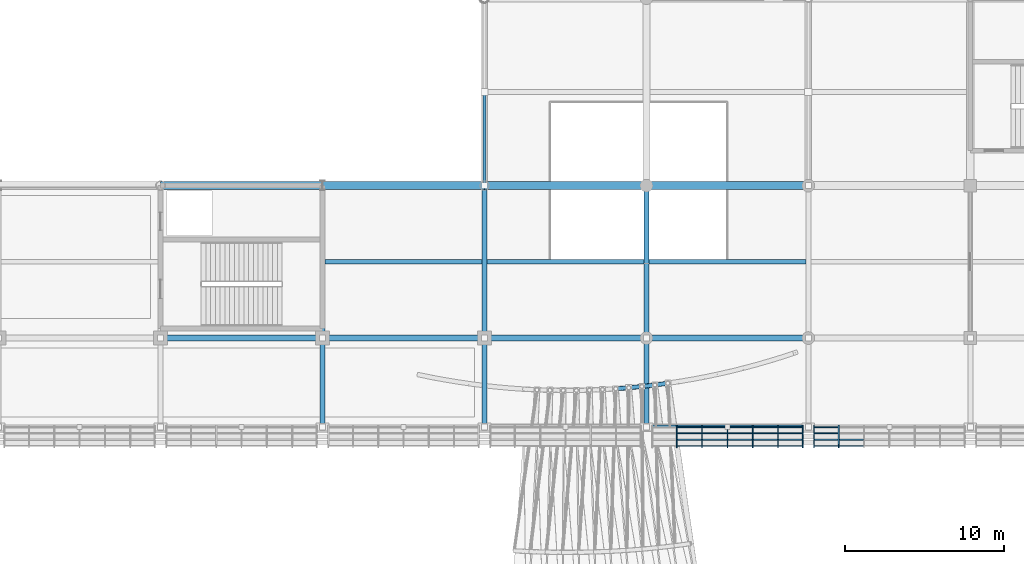
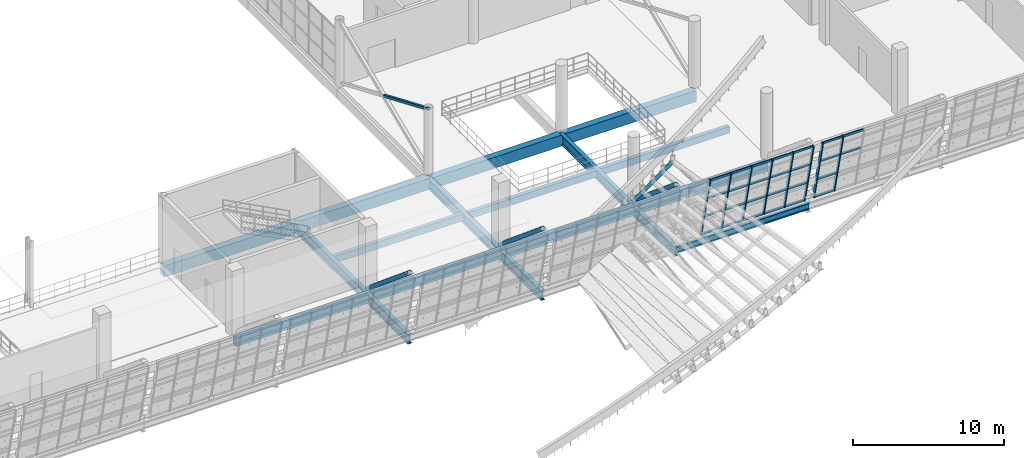
# One storey, part 46 of 175: 42 members, 15 beams, 2 elements without a shape of their own.
"""IFC4 building model written with IfcOpenShell, lengths in metres."""

import ifcopenshell
import ifcopenshell.guid

model = None  # the IFC model being written
_history = None  # IfcOwnerHistory: only IFC2X3 demands one
_inside = {}  # id of a spatial element -> (the spatial element, [elements in it])
_under = {}  # id of a project, library or spatial element -> (it, [spatial elements below it])
_declared = {}  # id of a project -> (the project, [libraries it declares])
_typed = {}  # id of a type object -> (the type object, [elements of that type])
_made_of = {}  # id of a material, layer set ... -> (it, [elements and type objects made of it])


def new_model(schema):
    """Start an empty IFC model of exactly this schema.

    Asked for "IFC4X3", IfcOpenShell would pick the latest addendum, in which some entities
    have other attributes; the version numbers below select the first issue.
    IFC2X3 requires an IfcOwnerHistory on every rooted entity: one is made here for all.
    """
    global model, _history
    if schema == "IFC4X3":
        model = ifcopenshell.file(schema_version=(4, 3, 0, 0))
    else:
        model = ifcopenshell.file(schema=schema)
    _inside.clear()
    _under.clear()
    _declared.clear()
    _typed.clear()
    _made_of.clear()
    _history = None
    if model.schema == "IFC2X3":
        org = make("IfcOrganization", Name="unknown")
        user = make(
            "IfcPersonAndOrganization",
            ThePerson=make("IfcPerson", FamilyName="unknown"),
            TheOrganization=org,
        )
        app = make(
            "IfcApplication",
            ApplicationDeveloper=org,
            Version="unknown",
            ApplicationFullName="unknown",
            ApplicationIdentifier="unknown",
        )
        _history = make(
            "IfcOwnerHistory",
            OwningUser=user,
            OwningApplication=app,
            ChangeAction="ADDED",
            CreationDate=0,
        )
    return model


def make(cls, **values):
    """One entity of the class cls with the attributes given. An attribute that is None is left unset."""
    return model.create_entity(
        cls, **{name: value for name, value in values.items() if value is not None}
    )


def rooted(cls, **values):
    """An entity with a GlobalId (a new one), such as an element, a storey or a relation."""
    return make(cls, GlobalId=ifcopenshell.guid.new(), OwnerHistory=_history, **values)


def si_unit(unit_type, name, prefix=None):
    """IfcSIUnit, for example si_unit("LENGTHUNIT", "METRE", prefix="MILLI")."""
    return make("IfcSIUnit", UnitType=unit_type, Prefix=prefix, Name=name)


def assignment(units):
    """IfcUnitAssignment: the units of a project."""
    return None if units is None else make("IfcUnitAssignment", Units=units)


def point(xyz):
    """IfcCartesianPoint."""
    return None if xyz is None else make("IfcCartesianPoint", Coordinates=xyz)


def direction(xyz):
    """IfcDirection."""
    return None if xyz is None else make("IfcDirection", DirectionRatios=xyz)


def frame(location, z_axis=None, x_axis=None):
    """IfcAxis2Placement3D, a coordinate frame: its origin and axes. An axis left out is left unset."""
    return make(
        "IfcAxis2Placement3D",
        Location=point(location),
        Axis=direction(z_axis),
        RefDirection=direction(x_axis),
    )


def frame_2d(location, x_axis=None):
    """IfcAxis2Placement2D, a coordinate frame in the plane: its origin and x axis."""
    return make(
        "IfcAxis2Placement2D", Location=point(location), RefDirection=direction(x_axis)
    )


def origin():
    """The frame at (0, 0, 0) with its axes left unset."""
    return frame((0.0, 0.0, 0.0))


def origin_2d():
    """The frame at (0, 0) in the plane with its x axis left unset."""
    return frame_2d((0.0, 0.0))


def place(relative_to, where):
    """IfcLocalPlacement: puts the frame where relative to a parent placement (None: the world)."""
    return make(
        "IfcLocalPlacement", PlacementRelTo=relative_to, RelativePlacement=where
    )


def context(
    kind, dimensions, precision=None, world=None, true_north=None, identifier=None
):
    """IfcGeometricRepresentationContext, for example the 3D "Model" context."""
    return make(
        "IfcGeometricRepresentationContext",
        ContextIdentifier=identifier,
        ContextType=kind,
        CoordinateSpaceDimension=dimensions,
        Precision=precision,
        WorldCoordinateSystem=world,
        TrueNorth=true_north,
    )


def subcontext(parent, identifier, kind, view, scale=None):
    """IfcGeometricRepresentationSubContext, for example "Body" below "Model"."""
    return make(
        "IfcGeometricRepresentationSubContext",
        ContextIdentifier=identifier,
        ContextType=kind,
        ParentContext=parent,
        TargetScale=scale,
        TargetView=view,
    )


def project(units=None, contexts=None):
    """IfcProject with its units and contexts."""
    return rooted(
        "IfcProject",
        Name="project",
        RepresentationContexts=contexts,
        UnitsInContext=assignment(units),
    )


def spatial(cls, under=None, at=None, **own):
    """A site, building, storey or space (cls), placed at a placement, below another one or the project."""
    s = rooted(cls, ObjectPlacement=at, **own)
    if under is not None:
        _under.setdefault(under.id(), (under, []))[1].append(s)
    return s


def profile(cls, at=None, kind="AREA", **sizes):
    """A parametric profile (cls). Its sizes go by their IFC names, for example OverallWidth=200.0."""
    return make(cls, ProfileType=kind, Position=at, **sizes)


def rectangle(**sizes):
    """IfcRectangleProfileDef."""
    return profile("IfcRectangleProfileDef", **sizes)


def hollow_rectangle(**sizes):
    """IfcRectangleHollowProfileDef."""
    return profile("IfcRectangleHollowProfileDef", **sizes)


def hollow_circle(**sizes):
    """IfcCircleHollowProfileDef."""
    return profile("IfcCircleHollowProfileDef", **sizes)


def i_section(**sizes):
    """IfcIShapeProfileDef."""
    return profile("IfcIShapeProfileDef", **sizes)


def extrude(swept, where, along, depth):
    """IfcExtrudedAreaSolid: the profile swept, set in the frame where, extruded along a direction by depth."""
    return make(
        "IfcExtrudedAreaSolid",
        SweptArea=swept,
        Position=where,
        ExtrudedDirection=direction(along),
        Depth=depth,
    )


def shape(context_of_items, identifier, shape_type, items):
    """IfcShapeRepresentation: the items that make up one representation, for example the "Body"."""
    return make(
        "IfcShapeRepresentation",
        ContextOfItems=context_of_items,
        RepresentationIdentifier=identifier,
        RepresentationType=shape_type,
        Items=items,
    )


def material(Name=None, Category=None):
    """IfcMaterial."""
    return make("IfcMaterial", Name=Name, Category=Category)


def material_profile(
    of_material, cross_section, Name=None, Category=None, Priority=None
):
    """IfcMaterialProfile: a cross section and its material."""
    return make(
        "IfcMaterialProfile",
        Name=Name,
        Material=of_material,
        Profile=cross_section,
        Priority=Priority,
        Category=Category,
    )


def profile_set(profiles, Name=None, composite=None):
    """IfcMaterialProfileSet."""
    return make(
        "IfcMaterialProfileSet",
        Name=Name,
        MaterialProfiles=profiles,
        CompositeProfile=composite,
    )


def made_of(thing, what):
    """Note that an element or type object is made of a material, layer set ...; save() writes the relation."""
    if what is not None:
        _made_of.setdefault(what.id(), (what, []))[1].append(thing)
    return thing


def type_object(cls, material=None, **own):
    """A type object (cls), such as IfcWallType, which elements share."""
    return made_of(rooted(cls, **own), material)


def element(
    cls,
    number,
    at=None,
    inside=None,
    cuts=None,
    type_object=None,
    material=None,
    context=None,
    identifier="Body",
    shape_type=None,
    held_by="IfcProductDefinitionShape",
    body=None,
    shapes=None,
    **own,
):
    """One element of the class cls, such as IfcWall. Its Tag is "e" and its number.

    at: its placement. inside: the storey or other place that contains it. cuts: it is an
    opening in that element (IfcRelVoidsElement). A single representation is given by context,
    identifier, shape_type and body (its items); several are given by shapes. held_by: the class
    of the entity that holds the representations. save() writes the other relations.
    """
    e = rooted(cls, Tag="e%d" % number, ObjectPlacement=at, **own)
    if body is not None:
        shapes = [shape(context, identifier, shape_type, body)]
    if shapes is not None:
        e.Representation = make(held_by, Representations=shapes)
    if inside is not None:
        _inside.setdefault(inside.id(), (inside, []))[1].append(e)
    if cuts is not None:
        rooted(
            "IfcRelVoidsElement", RelatingBuildingElement=cuts, RelatedOpeningElement=e
        )
    if type_object is not None:
        _typed.setdefault(type_object.id(), (type_object, []))[1].append(e)
    return made_of(e, material)


def aggregate(whole, parts):
    """IfcRelAggregates: a whole, such as a stair, and the parts it consists of."""
    return rooted("IfcRelAggregates", RelatingObject=whole, RelatedObjects=parts)


def save(model, path):
    """Write the relations noted so far, then the file.

    IfcRelAggregates (storeys below a building ...), IfcRelContainedInSpatialStructure (elements
    in a storey), IfcRelDefinesByType, IfcRelAssociatesMaterial and IfcRelDeclares: one each for
    every whole, place, type object, material and project.
    """
    for whole, parts in _under.values():
        aggregate(whole, parts)
    for where, things in _inside.values():
        rooted(
            "IfcRelContainedInSpatialStructure",
            RelatedElements=things,
            RelatingStructure=where,
        )
    for kind, things in _typed.values():
        rooted("IfcRelDefinesByType", RelatedObjects=things, RelatingType=kind)
    for what, things in _made_of.values():
        rooted("IfcRelAssociatesMaterial", RelatedObjects=things, RelatingMaterial=what)
    for by, libraries in _declared.values():
        rooted("IfcRelDeclares", RelatingContext=by, RelatedDefinitions=libraries)
    model.write(path)


model = new_model("IFC4")

# Units and contexts
model_context = context("Model", 3, precision=1e-05, world=origin(), true_north=direction((0.0, 1.0)))
body_context = subcontext(model_context, "Body", "Model", "MODEL_VIEW")
ifc_project = project(units=[si_unit("LENGTHUNIT", "METRE"), si_unit("AREAUNIT", "SQUARE_METRE"), si_unit("VOLUMEUNIT", "CUBIC_METRE"), si_unit("PLANEANGLEUNIT", "RADIAN"), si_unit("MASSUNIT", "GRAM", prefix="KILO")], contexts=[model_context])

# Site, building, storey
site_placement = place(None, origin())
site = spatial("IfcSite", under=ifc_project, at=site_placement, CompositionType="ELEMENT")
building_placement = place(site_placement, origin())
building = spatial("IfcBuilding", under=site, at=building_placement, Name="Brelvane Convention Centre", CompositionType="ELEMENT")
storey_placement = place(building_placement, frame((0.0, 0.0, 5.39990234375)))
storey = spatial("IfcBuildingStorey", under=building, at=storey_placement, Name="L01", CompositionType="ELEMENT", Elevation=5.39990234375)

# Curtain wall, members
ifc_material_1 = material(Name="Anodised Aluminium Alloy 6063-T6", Category="aluminium")
curtain_wall_type = type_object("IfcCurtainWallType", Name="Curtain Wall CW-HULL-S", PredefinedType="USERDEFINED", material=ifc_material_1)
curtain_wall_1_placement = place(storey_placement, origin())
curtain_wall_1 = element("IfcCurtainWall", 1, at=curtain_wall_1_placement, inside=storey, type_object=curtain_wall_type, Name="Curtain Wall CW-HULL-S L01-HULL-S-L01-16", ObjectType="UNITISED", PredefinedType="USERDEFINED")
ifc_material_2 = material(Name="Anodised Aluminium Alloy 6063-T6", Category="aluminium")
ifc_material_profile_1 = material_profile(ifc_material_2, hollow_rectangle(XDim=0.080078125, YDim=0.239990234375, WallThickness=0.006103515625, InnerFilletRadius=0.006103515625, OuterFilletRadius=0.011962890625, at=origin_2d()), Name="ALU-M 240x80x6.0")
ifc_profile_set_1 = profile_set([ifc_material_profile_1], Name="Anodised Aluminium Alloy 6063-T6")
member_type_1 = type_object("IfcMemberType", Name="Curtain Mullion CW-M1", PredefinedType="MULLION", material=ifc_profile_set_1)
member_1_placement = place(storey_placement, frame((154.913330078125, 13.60009765625, 0.0), z_axis=(0.0, -0.228360162456, 0.973576723326), x_axis=(1.0, 0.0, 0.0)))
member_1 = element("IfcMember", 2, at=member_1_placement, type_object=member_type_1, Name="CW-HULL-S mullion 2", PredefinedType="MULLION", context=body_context, shape_type="SweptSolid", body=[
    extrude(hollow_rectangle(XDim=0.080078125, YDim=0.239990234375, WallThickness=0.006103515625, InnerFilletRadius=0.006103515625, OuterFilletRadius=0.011962890625, at=origin_2d()), origin(), (0.0, 0.0, 1.0), 5.2900390625),
])
member_2_placement = place(storey_placement, frame((156.506591796875, 13.60009765625, 0.0), z_axis=(0.0, -0.228360162456, 0.973576723326), x_axis=(1.0, 0.0, 0.0)))
member_2 = element("IfcMember", 3, at=member_2_placement, type_object=member_type_1, Name="CW-HULL-S mullion 3", PredefinedType="MULLION", context=body_context, shape_type="SweptSolid", body=[
    extrude(hollow_rectangle(XDim=0.080078125, YDim=0.239990234375, WallThickness=0.006103515625, InnerFilletRadius=0.006103515625, OuterFilletRadius=0.011962890625, at=origin_2d()), origin(), (0.0, 0.0, 1.0), 5.2900390625),
])
member_3_placement = place(storey_placement, frame((158.10009765625, 13.60009765625, 0.0), z_axis=(0.0, -0.228360162456, 0.973576723326), x_axis=(1.0, 0.0, 0.0)))
member_3 = element("IfcMember", 4, at=member_3_placement, type_object=member_type_1, Name="CW-HULL-S mullion 4", PredefinedType="MULLION", context=body_context, shape_type="SweptSolid", body=[
    extrude(hollow_rectangle(XDim=0.080078125, YDim=0.239990234375, WallThickness=0.006103515625, InnerFilletRadius=0.006103515625, OuterFilletRadius=0.011962890625, at=origin_2d()), origin(), (0.0, 0.0, 1.0), 5.2900390625),
])
member_4_placement = place(storey_placement, frame((159.693359375, 13.60009765625, 0.0), z_axis=(0.0, -0.228360162456, 0.973576723326), x_axis=(1.0, 0.0, 0.0)))
member_4 = element("IfcMember", 5, at=member_4_placement, type_object=member_type_1, Name="CW-HULL-S mullion 5", PredefinedType="MULLION", context=body_context, shape_type="SweptSolid", body=[
    extrude(hollow_rectangle(XDim=0.080078125, YDim=0.239990234375, WallThickness=0.006103515625, InnerFilletRadius=0.006103515625, OuterFilletRadius=0.011962890625, at=origin_2d()), origin(), (0.0, 0.0, 1.0), 5.2900390625),
])
member_5_placement = place(storey_placement, frame((161.28662109375, 13.60009765625, 0.0), z_axis=(0.0, -0.228360162456, 0.973576723326), x_axis=(1.0, 0.0, 0.0)))
member_5 = element("IfcMember", 6, at=member_5_placement, type_object=member_type_1, Name="CW-HULL-S mullion 6", PredefinedType="MULLION", context=body_context, shape_type="SweptSolid", body=[
    extrude(hollow_rectangle(XDim=0.080078125, YDim=0.239990234375, WallThickness=0.006103515625, InnerFilletRadius=0.006103515625, OuterFilletRadius=0.011962890625, at=origin_2d()), origin(), (0.0, 0.0, 1.0), 5.2900390625),
])
member_6_placement = place(storey_placement, frame((162.840087890625, 13.60009765625, 0.0), z_axis=(0.0, -0.228360162456, 0.973576723326), x_axis=(1.0, 0.0, 0.0)))
member_6 = element("IfcMember", 7, at=member_6_placement, type_object=member_type_1, Name="CW-HULL-S mullion 7", PredefinedType="MULLION", context=body_context, shape_type="SweptSolid", body=[
    extrude(hollow_rectangle(XDim=0.080078125, YDim=0.239990234375, WallThickness=0.006103515625, InnerFilletRadius=0.006103515625, OuterFilletRadius=0.011962890625, at=origin_2d()), origin(), (0.0, 0.0, 1.0), 5.2900390625),
])

curtain_wall_2_placement = place(storey_placement, origin())
curtain_wall_2 = element("IfcCurtainWall", 8, at=curtain_wall_2_placement, inside=storey, type_object=curtain_wall_type, Name="Curtain Wall CW-HULL-S L01-HULL-S-L01-17", ObjectType="UNITISED", PredefinedType="USERDEFINED")
member_7_placement = place(storey_placement, frame((163.56005859375, 13.60009765625, 0.0), z_axis=(0.0, -0.228360162456, 0.973576723326), x_axis=(1.0, 0.0, 0.0)))
member_7 = element("IfcMember", 9, at=member_7_placement, type_object=member_type_1, Name="CW-HULL-S mullion 1", PredefinedType="MULLION", context=body_context, shape_type="SweptSolid", body=[
    extrude(hollow_rectangle(XDim=0.080078125, YDim=0.239990234375, WallThickness=0.006103515625, InnerFilletRadius=0.006103515625, OuterFilletRadius=0.011962890625, at=origin_2d()), origin(), (0.0, 0.0, 1.0), 5.2900390625),
])
member_8_placement = place(storey_placement, frame((165.11328125, 13.60009765625, 0.0), z_axis=(0.0, -0.228360162456, 0.973576723326), x_axis=(1.0, 0.0, 0.0)))
member_8 = element("IfcMember", 10, at=member_8_placement, type_object=member_type_1, Name="CW-HULL-S mullion 2", PredefinedType="MULLION", context=body_context, shape_type="SweptSolid", body=[
    extrude(hollow_rectangle(XDim=0.080078125, YDim=0.239990234375, WallThickness=0.006103515625, InnerFilletRadius=0.006103515625, OuterFilletRadius=0.011962890625, at=origin_2d()), origin(), (0.0, 0.0, 1.0), 5.2900390625),
])

# Member
ifc_material_3 = material(Name="Anodised Aluminium Alloy 6063-T6", Category="aluminium")
ifc_material_profile_2 = material_profile(ifc_material_3, hollow_rectangle(XDim=0.080078125, YDim=0.179931640625, WallThickness=0.0048828125, InnerFilletRadius=0.0048828125, OuterFilletRadius=0.010009765625, at=origin_2d()), Name="ALU-T 180x80x5.0")
ifc_profile_set_2 = profile_set([ifc_material_profile_2], Name="Anodised Aluminium Alloy 6063-T6")
member_type_2 = type_object("IfcMemberType", Name="Curtain Transom CW-T1", PredefinedType="USERDEFINED", material=ifc_profile_set_2)
member_9_placement = place(storey_placement, frame((154.953369140625, 13.590576171875, 0.0400390625), z_axis=(1.0, 0.0, 0.0), x_axis=(0.0, 1.0, 0.0)))
member_9 = element("IfcMember", 11, at=member_9_placement, type_object=member_type_2, Name="CW-HULL-S transom 2.1", ObjectType="TRANSOM", PredefinedType="USERDEFINED", context=body_context, shape_type="SweptSolid", body=[
    extrude(hollow_rectangle(XDim=0.080078125, YDim=0.179931640625, WallThickness=0.0048828125, InnerFilletRadius=0.0048828125, OuterFilletRadius=0.010009765625, at=origin_2d()), origin(), (0.0, 0.0, 1.0), 1.51318359375),
])

member_10_placement = place(storey_placement, frame((154.953369140625, 13.197265625, 1.716796875), z_axis=(1.0, 0.0, 0.0), x_axis=(0.0, 1.0, 0.0)))
member_10 = element("IfcMember", 12, at=member_10_placement, type_object=member_type_2, Name="CW-HULL-S transom 2.2", ObjectType="TRANSOM", PredefinedType="USERDEFINED", context=body_context, shape_type="SweptSolid", body=[
    extrude(hollow_rectangle(XDim=0.080078125, YDim=0.179931640625, WallThickness=0.0048828125, InnerFilletRadius=0.0048828125, OuterFilletRadius=0.010009765625, at=origin_2d()), origin(), (0.0, 0.0, 1.0), 1.51318359375),
])

member_11_placement = place(storey_placement, frame((154.953369140625, 12.794677734375, 3.433349609375), z_axis=(1.0, 0.0, 0.0), x_axis=(0.0, 1.0, 0.0)))
member_11 = element("IfcMember", 13, at=member_11_placement, type_object=member_type_2, Name="CW-HULL-S transom 2.3", ObjectType="TRANSOM", PredefinedType="USERDEFINED", context=body_context, shape_type="SweptSolid", body=[
    extrude(hollow_rectangle(XDim=0.080078125, YDim=0.179931640625, WallThickness=0.0048828125, InnerFilletRadius=0.0048828125, OuterFilletRadius=0.010009765625, at=origin_2d()), origin(), (0.0, 0.0, 1.0), 1.51318359375),
])

member_12_placement = place(storey_placement, frame((154.953369140625, 12.4013671875, 5.110107421875), z_axis=(1.0, 0.0, 0.0), x_axis=(0.0, 1.0, 0.0)))
member_12 = element("IfcMember", 14, at=member_12_placement, type_object=member_type_2, Name="CW-HULL-S transom 2.4", ObjectType="TRANSOM", PredefinedType="USERDEFINED", context=body_context, shape_type="SweptSolid", body=[
    extrude(hollow_rectangle(XDim=0.080078125, YDim=0.179931640625, WallThickness=0.0048828125, InnerFilletRadius=0.0048828125, OuterFilletRadius=0.010009765625, at=origin_2d()), origin(), (0.0, 0.0, 1.0), 1.51318359375),
])

member_13_placement = place(storey_placement, frame((156.546630859375, 13.590576171875, 0.0400390625), z_axis=(1.0, 0.0, 0.0), x_axis=(0.0, 1.0, 0.0)))
member_13 = element("IfcMember", 15, at=member_13_placement, type_object=member_type_2, Name="CW-HULL-S transom 3.1", ObjectType="TRANSOM", PredefinedType="USERDEFINED", context=body_context, shape_type="SweptSolid", body=[
    extrude(hollow_rectangle(XDim=0.080078125, YDim=0.179931640625, WallThickness=0.0048828125, InnerFilletRadius=0.0048828125, OuterFilletRadius=0.010009765625, at=origin_2d()), origin(), (0.0, 0.0, 1.0), 1.513427734375),
])

member_14_placement = place(storey_placement, frame((156.546630859375, 13.197265625, 1.716796875), z_axis=(1.0, 0.0, 0.0), x_axis=(0.0, 1.0, 0.0)))
member_14 = element("IfcMember", 16, at=member_14_placement, type_object=member_type_2, Name="CW-HULL-S transom 3.2", ObjectType="TRANSOM", PredefinedType="USERDEFINED", context=body_context, shape_type="SweptSolid", body=[
    extrude(hollow_rectangle(XDim=0.080078125, YDim=0.179931640625, WallThickness=0.0048828125, InnerFilletRadius=0.0048828125, OuterFilletRadius=0.010009765625, at=origin_2d()), origin(), (0.0, 0.0, 1.0), 1.513427734375),
])

member_15_placement = place(storey_placement, frame((156.546630859375, 12.794677734375, 3.433349609375), z_axis=(1.0, 0.0, 0.0), x_axis=(0.0, 1.0, 0.0)))
member_15 = element("IfcMember", 17, at=member_15_placement, type_object=member_type_2, Name="CW-HULL-S transom 3.3", ObjectType="TRANSOM", PredefinedType="USERDEFINED", context=body_context, shape_type="SweptSolid", body=[
    extrude(hollow_rectangle(XDim=0.080078125, YDim=0.179931640625, WallThickness=0.0048828125, InnerFilletRadius=0.0048828125, OuterFilletRadius=0.010009765625, at=origin_2d()), origin(), (0.0, 0.0, 1.0), 1.513427734375),
])

member_16_placement = place(storey_placement, frame((156.546630859375, 12.4013671875, 5.110107421875), z_axis=(1.0, 0.0, 0.0), x_axis=(0.0, 1.0, 0.0)))
member_16 = element("IfcMember", 18, at=member_16_placement, type_object=member_type_2, Name="CW-HULL-S transom 3.4", ObjectType="TRANSOM", PredefinedType="USERDEFINED", context=body_context, shape_type="SweptSolid", body=[
    extrude(hollow_rectangle(XDim=0.080078125, YDim=0.179931640625, WallThickness=0.0048828125, InnerFilletRadius=0.0048828125, OuterFilletRadius=0.010009765625, at=origin_2d()), origin(), (0.0, 0.0, 1.0), 1.513427734375),
])

member_17_placement = place(storey_placement, frame((158.139892578125, 13.590576171875, 0.0400390625), z_axis=(1.0, 0.0, 0.0), x_axis=(0.0, 1.0, 0.0)))
member_17 = element("IfcMember", 19, at=member_17_placement, type_object=member_type_2, Name="CW-HULL-S transom 4.1", ObjectType="TRANSOM", PredefinedType="USERDEFINED", context=body_context, shape_type="SweptSolid", body=[
    extrude(hollow_rectangle(XDim=0.080078125, YDim=0.179931640625, WallThickness=0.0048828125, InnerFilletRadius=0.0048828125, OuterFilletRadius=0.010009765625, at=origin_2d()), origin(), (0.0, 0.0, 1.0), 1.513427734375),
])

member_18_placement = place(storey_placement, frame((158.139892578125, 13.197265625, 1.716796875), z_axis=(1.0, 0.0, 0.0), x_axis=(0.0, 1.0, 0.0)))
member_18 = element("IfcMember", 20, at=member_18_placement, type_object=member_type_2, Name="CW-HULL-S transom 4.2", ObjectType="TRANSOM", PredefinedType="USERDEFINED", context=body_context, shape_type="SweptSolid", body=[
    extrude(hollow_rectangle(XDim=0.080078125, YDim=0.179931640625, WallThickness=0.0048828125, InnerFilletRadius=0.0048828125, OuterFilletRadius=0.010009765625, at=origin_2d()), origin(), (0.0, 0.0, 1.0), 1.513427734375),
])

member_19_placement = place(storey_placement, frame((158.139892578125, 12.794677734375, 3.433349609375), z_axis=(1.0, 0.0, 0.0), x_axis=(0.0, 1.0, 0.0)))
member_19 = element("IfcMember", 21, at=member_19_placement, type_object=member_type_2, Name="CW-HULL-S transom 4.3", ObjectType="TRANSOM", PredefinedType="USERDEFINED", context=body_context, shape_type="SweptSolid", body=[
    extrude(hollow_rectangle(XDim=0.080078125, YDim=0.179931640625, WallThickness=0.0048828125, InnerFilletRadius=0.0048828125, OuterFilletRadius=0.010009765625, at=origin_2d()), origin(), (0.0, 0.0, 1.0), 1.513427734375),
])

member_20_placement = place(storey_placement, frame((158.139892578125, 12.4013671875, 5.110107421875), z_axis=(1.0, 0.0, 0.0), x_axis=(0.0, 1.0, 0.0)))
member_20 = element("IfcMember", 22, at=member_20_placement, type_object=member_type_2, Name="CW-HULL-S transom 4.4", ObjectType="TRANSOM", PredefinedType="USERDEFINED", context=body_context, shape_type="SweptSolid", body=[
    extrude(hollow_rectangle(XDim=0.080078125, YDim=0.179931640625, WallThickness=0.0048828125, InnerFilletRadius=0.0048828125, OuterFilletRadius=0.010009765625, at=origin_2d()), origin(), (0.0, 0.0, 1.0), 1.513427734375),
])

member_21_placement = place(storey_placement, frame((159.7333984375, 13.590576171875, 0.0400390625), z_axis=(1.0, 0.0, 0.0), x_axis=(0.0, 1.0, 0.0)))
member_21 = element("IfcMember", 23, at=member_21_placement, type_object=member_type_2, Name="CW-HULL-S transom 5.1", ObjectType="TRANSOM", PredefinedType="USERDEFINED", context=body_context, shape_type="SweptSolid", body=[
    extrude(hollow_rectangle(XDim=0.080078125, YDim=0.179931640625, WallThickness=0.0048828125, InnerFilletRadius=0.0048828125, OuterFilletRadius=0.010009765625, at=origin_2d()), origin(), (0.0, 0.0, 1.0), 1.51318359375),
])

member_22_placement = place(storey_placement, frame((159.7333984375, 13.197265625, 1.716796875), z_axis=(1.0, 0.0, 0.0), x_axis=(0.0, 1.0, 0.0)))
member_22 = element("IfcMember", 24, at=member_22_placement, type_object=member_type_2, Name="CW-HULL-S transom 5.2", ObjectType="TRANSOM", PredefinedType="USERDEFINED", context=body_context, shape_type="SweptSolid", body=[
    extrude(hollow_rectangle(XDim=0.080078125, YDim=0.179931640625, WallThickness=0.0048828125, InnerFilletRadius=0.0048828125, OuterFilletRadius=0.010009765625, at=origin_2d()), origin(), (0.0, 0.0, 1.0), 1.51318359375),
])

member_23_placement = place(storey_placement, frame((159.7333984375, 12.794677734375, 3.433349609375), z_axis=(1.0, 0.0, 0.0), x_axis=(0.0, 1.0, 0.0)))
member_23 = element("IfcMember", 25, at=member_23_placement, type_object=member_type_2, Name="CW-HULL-S transom 5.3", ObjectType="TRANSOM", PredefinedType="USERDEFINED", context=body_context, shape_type="SweptSolid", body=[
    extrude(hollow_rectangle(XDim=0.080078125, YDim=0.179931640625, WallThickness=0.0048828125, InnerFilletRadius=0.0048828125, OuterFilletRadius=0.010009765625, at=origin_2d()), origin(), (0.0, 0.0, 1.0), 1.51318359375),
])

member_24_placement = place(storey_placement, frame((159.7333984375, 12.4013671875, 5.110107421875), z_axis=(1.0, 0.0, 0.0), x_axis=(0.0, 1.0, 0.0)))
member_24 = element("IfcMember", 26, at=member_24_placement, type_object=member_type_2, Name="CW-HULL-S transom 5.4", ObjectType="TRANSOM", PredefinedType="USERDEFINED", context=body_context, shape_type="SweptSolid", body=[
    extrude(hollow_rectangle(XDim=0.080078125, YDim=0.179931640625, WallThickness=0.0048828125, InnerFilletRadius=0.0048828125, OuterFilletRadius=0.010009765625, at=origin_2d()), origin(), (0.0, 0.0, 1.0), 1.51318359375),
])

member_25_placement = place(storey_placement, frame((161.32666015625, 13.590576171875, 0.0400390625), z_axis=(1.0, 0.0, 0.0), x_axis=(0.0, 1.0, 0.0)))
member_25 = element("IfcMember", 27, at=member_25_placement, type_object=member_type_2, Name="CW-HULL-S transom 6.1", ObjectType="TRANSOM", PredefinedType="USERDEFINED", context=body_context, shape_type="SweptSolid", body=[
    extrude(hollow_rectangle(XDim=0.080078125, YDim=0.179931640625, WallThickness=0.0048828125, InnerFilletRadius=0.0048828125, OuterFilletRadius=0.010009765625, at=origin_2d()), origin(), (0.0, 0.0, 1.0), 1.473388671875),
])

member_26_placement = place(storey_placement, frame((161.32666015625, 13.197265625, 1.716796875), z_axis=(1.0, 0.0, 0.0), x_axis=(0.0, 1.0, 0.0)))
member_26 = element("IfcMember", 28, at=member_26_placement, type_object=member_type_2, Name="CW-HULL-S transom 6.2", ObjectType="TRANSOM", PredefinedType="USERDEFINED", context=body_context, shape_type="SweptSolid", body=[
    extrude(hollow_rectangle(XDim=0.080078125, YDim=0.179931640625, WallThickness=0.0048828125, InnerFilletRadius=0.0048828125, OuterFilletRadius=0.010009765625, at=origin_2d()), origin(), (0.0, 0.0, 1.0), 1.473388671875),
])

member_27_placement = place(storey_placement, frame((161.32666015625, 12.794677734375, 3.433349609375), z_axis=(1.0, 0.0, 0.0), x_axis=(0.0, 1.0, 0.0)))
member_27 = element("IfcMember", 29, at=member_27_placement, type_object=member_type_2, Name="CW-HULL-S transom 6.3", ObjectType="TRANSOM", PredefinedType="USERDEFINED", context=body_context, shape_type="SweptSolid", body=[
    extrude(hollow_rectangle(XDim=0.080078125, YDim=0.179931640625, WallThickness=0.0048828125, InnerFilletRadius=0.0048828125, OuterFilletRadius=0.010009765625, at=origin_2d()), origin(), (0.0, 0.0, 1.0), 1.473388671875),
])

member_28_placement = place(storey_placement, frame((161.32666015625, 12.4013671875, 5.110107421875), z_axis=(1.0, 0.0, 0.0), x_axis=(0.0, 1.0, 0.0)))
member_28 = element("IfcMember", 30, at=member_28_placement, type_object=member_type_2, Name="CW-HULL-S transom 6.4", ObjectType="TRANSOM", PredefinedType="USERDEFINED", context=body_context, shape_type="SweptSolid", body=[
    extrude(hollow_rectangle(XDim=0.080078125, YDim=0.179931640625, WallThickness=0.0048828125, InnerFilletRadius=0.0048828125, OuterFilletRadius=0.010009765625, at=origin_2d()), origin(), (0.0, 0.0, 1.0), 1.473388671875),
])

aggregate(curtain_wall_1, [member_1, member_2, member_3, member_4, member_5, member_6, member_9, member_10, member_11, member_12, member_13, member_14, member_15, member_16, member_17, member_18, member_19, member_20, member_21, member_22, member_23, member_24, member_25, member_26, member_27, member_28])

member_29_placement = place(storey_placement, frame((163.60009765625, 13.590576171875, 0.0400390625), z_axis=(1.0, 0.0, 0.0), x_axis=(0.0, 1.0, 0.0)))
member_29 = element("IfcMember", 31, at=member_29_placement, type_object=member_type_2, Name="CW-HULL-S transom 1.1", ObjectType="TRANSOM", PredefinedType="USERDEFINED", context=body_context, shape_type="SweptSolid", body=[
    extrude(hollow_rectangle(XDim=0.080078125, YDim=0.179931640625, WallThickness=0.0048828125, InnerFilletRadius=0.0048828125, OuterFilletRadius=0.010009765625, at=origin_2d()), origin(), (0.0, 0.0, 1.0), 1.47314453125),
])

member_30_placement = place(storey_placement, frame((163.60009765625, 13.197265625, 1.716796875), z_axis=(1.0, 0.0, 0.0), x_axis=(0.0, 1.0, 0.0)))
member_30 = element("IfcMember", 32, at=member_30_placement, type_object=member_type_2, Name="CW-HULL-S transom 1.2", ObjectType="TRANSOM", PredefinedType="USERDEFINED", context=body_context, shape_type="SweptSolid", body=[
    extrude(hollow_rectangle(XDim=0.080078125, YDim=0.179931640625, WallThickness=0.0048828125, InnerFilletRadius=0.0048828125, OuterFilletRadius=0.010009765625, at=origin_2d()), origin(), (0.0, 0.0, 1.0), 1.47314453125),
])

member_31_placement = place(storey_placement, frame((163.60009765625, 12.794677734375, 3.433349609375), z_axis=(1.0, 0.0, 0.0), x_axis=(0.0, 1.0, 0.0)))
member_31 = element("IfcMember", 33, at=member_31_placement, type_object=member_type_2, Name="CW-HULL-S transom 1.3", ObjectType="TRANSOM", PredefinedType="USERDEFINED", context=body_context, shape_type="SweptSolid", body=[
    extrude(hollow_rectangle(XDim=0.080078125, YDim=0.179931640625, WallThickness=0.0048828125, InnerFilletRadius=0.0048828125, OuterFilletRadius=0.010009765625, at=origin_2d()), origin(), (0.0, 0.0, 1.0), 1.47314453125),
])

member_32_placement = place(storey_placement, frame((163.60009765625, 12.4013671875, 5.110107421875), z_axis=(1.0, 0.0, 0.0), x_axis=(0.0, 1.0, 0.0)))
member_32 = element("IfcMember", 34, at=member_32_placement, type_object=member_type_2, Name="CW-HULL-S transom 1.4", ObjectType="TRANSOM", PredefinedType="USERDEFINED", context=body_context, shape_type="SweptSolid", body=[
    extrude(hollow_rectangle(XDim=0.080078125, YDim=0.179931640625, WallThickness=0.0048828125, InnerFilletRadius=0.0048828125, OuterFilletRadius=0.010009765625, at=origin_2d()), origin(), (0.0, 0.0, 1.0), 1.47314453125),
])

member_33_placement = place(storey_placement, frame((165.1533203125, 12.794677734375, 3.433349609375), z_axis=(1.0, 0.0, 0.0), x_axis=(0.0, 1.0, 0.0)))
member_33 = element("IfcMember", 35, at=member_33_placement, type_object=member_type_2, Name="CW-HULL-S transom 2.3", ObjectType="TRANSOM", PredefinedType="USERDEFINED", context=body_context, shape_type="SweptSolid", body=[
    extrude(hollow_rectangle(XDim=0.080078125, YDim=0.179931640625, WallThickness=0.0048828125, InnerFilletRadius=0.0048828125, OuterFilletRadius=0.010009765625, at=origin_2d()), origin(), (0.0, 0.0, 1.0), 1.513427734375),
])

member_34_placement = place(storey_placement, frame((165.1533203125, 12.4013671875, 5.110107421875), z_axis=(1.0, 0.0, 0.0), x_axis=(0.0, 1.0, 0.0)))
member_34 = element("IfcMember", 36, at=member_34_placement, type_object=member_type_2, Name="CW-HULL-S transom 2.4", ObjectType="TRANSOM", PredefinedType="USERDEFINED", context=body_context, shape_type="SweptSolid", body=[
    extrude(hollow_rectangle(XDim=0.080078125, YDim=0.179931640625, WallThickness=0.0048828125, InnerFilletRadius=0.0048828125, OuterFilletRadius=0.010009765625, at=origin_2d()), origin(), (0.0, 0.0, 1.0), 1.513427734375),
])

aggregate(curtain_wall_2, [member_7, member_8, member_29, member_30, member_31, member_32, member_33, member_34])

# Beams
ifc_material_4 = material(Name="Concrete M40", Category="concrete")
ifc_material_profile_3 = material_profile(ifc_material_4, rectangle(XDim=0.5, YDim=0.89990234375, at=origin_2d()), Name="RC 500x900")
ifc_profile_set_3 = profile_set([ifc_material_profile_3], Name="Concrete M40")
beam_type_1 = type_object("IfcBeamType", Name="RC Beam B-RC4 (RC 500x900)", PredefinedType="BEAM", material=ifc_profile_set_3)
beam_1_placement = place(storey_placement, frame((122.39990234375, 28.800048828125, -0.7099609375), z_axis=(1.0, 0.0, 0.0), x_axis=(0.0, 1.0, 0.0)))
element("IfcBeam", 37, at=beam_1_placement, inside=storey, type_object=beam_type_1, Name="L01 Beam 13-14/D", PredefinedType="BEAM", context=body_context, shape_type="SweptSolid", body=[
    extrude(rectangle(XDim=0.5, YDim=0.89990234375, at=origin_2d()), origin(), (0.0, 0.0, 1.0), 10.2001953125),
])
for number, where, z_axis, x_axis, name in (
    (38, (132.60009765625, 28.800048828125, -0.7099609375), (1.0, 0.0, 0.0), (0.0, 1.0, 0.0), "L01 Beam 14-15/D"),
    (39, (142.800048828125, 28.800048828125, -0.75), (1.0, 0.0, 0.0), (0.0, 1.0, 0.0), "L01 Beam 15-16/D"),
    (40, (153.0, 28.800048828125, -0.75), (1.0, 0.0, 0.0), (0.0, 1.0, 0.0), "L01 Beam 16-17/D"),
):
    element("IfcBeam", number, at=place(storey_placement, frame(where, z_axis=z_axis, x_axis=x_axis)), inside=storey, type_object=beam_type_1, Name=name, PredefinedType="BEAM", context=body_context, shape_type="SweptSolid", body=[
        extrude(rectangle(XDim=0.5, YDim=0.89990234375, at=origin_2d()), origin(), (0.0, 0.0, 1.0), 10.199951171875),
    ])
ifc_material_5 = material(Name="Concrete M40", Category="concrete")
ifc_material_profile_4 = material_profile(ifc_material_5, rectangle(XDim=0.300048828125, YDim=0.550048828125, at=origin_2d()), Name="RC 300x550")
ifc_profile_set_4 = profile_set([ifc_material_profile_4], Name="Concrete M40")
beam_type_2 = type_object("IfcBeamType", Name="RC Joist J-RC1 (RC 300x550)", PredefinedType="JOIST", material=ifc_profile_set_4)
beam_2_placement = place(storey_placement, frame((132.75, 24.0, -0.534912109375), z_axis=(1.0, 0.0, 0.0), x_axis=(0.0, 1.0, 0.0)))
element("IfcBeam", 41, at=beam_2_placement, inside=storey, type_object=beam_type_2, Name="L01 Secondary Joist 14-15/CD", PredefinedType="JOIST", context=body_context, shape_type="SweptSolid", body=[
    extrude(rectangle(XDim=0.300048828125, YDim=0.550048828125, at=origin_2d()), origin(), (0.0, 0.0, 1.0), 9.89990234375),
])
for number, where, z_axis, x_axis, name in (
    (42, (142.949951171875, 24.0, -0.574951171875), (1.0, 0.0, 0.0), (0.0, 1.0, 0.0), "L01 Secondary Joist 15-16/CD"),
    (43, (153.14990234375, 24.0, -0.574951171875), (1.0, 0.0, 0.0), (0.0, 1.0, 0.0), "L01 Secondary Joist 16-17/CD"),
):
    element("IfcBeam", number, at=place(storey_placement, frame(where, z_axis=z_axis, x_axis=x_axis)), inside=storey, type_object=beam_type_2, Name=name, PredefinedType="JOIST", context=body_context, shape_type="SweptSolid", body=[
        extrude(rectangle(XDim=0.300048828125, YDim=0.550048828125, at=origin_2d()), origin(), (0.0, 0.0, 1.0), 9.900146484375),
    ])
ifc_material_6 = material(Name="Concrete M40", Category="concrete")
ifc_material_profile_5 = material_profile(ifc_material_6, rectangle(XDim=0.39990234375, YDim=0.75, at=origin_2d()), Name="RC 400x750")
ifc_profile_set_5 = profile_set([ifc_material_profile_5], Name="Concrete M40")
beam_type_3 = type_object("IfcBeamType", Name="RC Spandrel SP-RC1 (RC 400x750)", PredefinedType="SPANDREL", material=ifc_profile_set_5)
beam_3_placement = place(storey_placement, frame((122.39990234375, 19.199951171875, -0.635009765625), z_axis=(1.0, 0.0, 0.0), x_axis=(0.0, 1.0, 0.0)))
element("IfcBeam", 44, at=beam_3_placement, inside=storey, type_object=beam_type_3, Name="L01 Beam 13-14/C", PredefinedType="SPANDREL", context=body_context, shape_type="SweptSolid", body=[
    extrude(rectangle(XDim=0.39990234375, YDim=0.75, at=origin_2d()), origin(), (0.0, 0.0, 1.0), 10.2001953125),
])
for number, where, z_axis, x_axis, name in (
    (45, (132.60009765625, 19.199951171875, -0.635009765625), (1.0, 0.0, 0.0), (0.0, 1.0, 0.0), "L01 Beam 14-15/C"),
    (46, (142.800048828125, 19.199951171875, -0.6748046875), (1.0, 0.0, 0.0), (0.0, 1.0, 0.0), "L01 Beam 15-16/C"),
    (47, (153.0, 19.199951171875, -0.6748046875), (1.0, 0.0, 0.0), (0.0, 1.0, 0.0), "L01 Beam 16-17/C"),
):
    element("IfcBeam", number, at=place(storey_placement, frame(where, z_axis=z_axis, x_axis=x_axis)), inside=storey, type_object=beam_type_3, Name=name, PredefinedType="SPANDREL", context=body_context, shape_type="SweptSolid", body=[
        extrude(rectangle(XDim=0.39990234375, YDim=0.75, at=origin_2d()), origin(), (0.0, 0.0, 1.0), 10.199951171875),
    ])
ifc_material_7 = material(Name="Steel E450 (450 MPa)", Category="steel")
ifc_material_profile_6 = material_profile(ifc_material_7, i_section(OverallWidth=0.300048828125, OverallDepth=0.800048828125, WebThickness=0.015380859375, FlangeThickness=0.030029296875, FilletRadius=0.027099609375, at=origin_2d()), Name="NPB 800x300")
ifc_profile_set_6 = profile_set([ifc_material_profile_6], Name="Steel E450 (450 MPa)")
beam_type_4 = type_object("IfcBeamType", Name="Steel Beam B-ST2 (NPB 800x300)", PredefinedType="BEAM", material=ifc_profile_set_6)
for number, where, z_axis, x_axis, name in (
    (48, (132.60009765625, 13.60009765625, -0.659912109375), (0.0, 1.0, 0.0), (-1.0, 0.0, 0.0), "L01 Hull Cantilever Girder 14"),
    (49, (142.800048828125, 13.60009765625, -0.699951171875), (0.0, 1.0, 0.0), (-1.0, 0.0, 0.0), "L01 Hull Cantilever Girder 15"),
    (50, (153.0, 13.60009765625, -0.699951171875), (0.0, 1.0, 0.0), (-1.0, 0.0, 0.0), "L01 Hull Cantilever Girder 16"),
):
    element("IfcBeam", number, at=place(storey_placement, frame(where, z_axis=z_axis, x_axis=x_axis)), inside=storey, type_object=beam_type_4, Name=name, PredefinedType="BEAM", context=body_context, shape_type="SweptSolid", body=[
        extrude(i_section(OverallWidth=0.300048828125, OverallDepth=0.800048828125, WebThickness=0.015380859375, FlangeThickness=0.030029296875, FilletRadius=0.027099609375, at=origin_2d()), origin(), (0.0, 0.0, 1.0), 15.199951171875),
    ])

# Members
ifc_material_8 = material(Name="Steel E350 (350 MPa)", Category="steel")
ifc_material_profile_7 = material_profile(ifc_material_8, hollow_rectangle(XDim=0.199951171875, YDim=0.199951171875, WallThickness=0.010009765625, InnerFilletRadius=0.010009765625, OuterFilletRadius=0.02001953125, at=origin_2d()), Name="SHS 200x200x10.0")
ifc_profile_set_7 = profile_set([ifc_material_profile_7], Name="Steel E350 (350 MPa)")
member_type_3 = type_object("IfcMemberType", Name="Steel Brace BR-ST3 (SHS 200x200x10.0)", PredefinedType="BRACE", material=ifc_profile_set_7)
member_35_placement = place(storey_placement, frame((142.800048828125, 34.699951171875, 2.7001953125), z_axis=(0.0, -0.92074940082, 0.390154508996), x_axis=(1.0, 0.0, 0.0)))
element("IfcMember", 51, at=member_35_placement, inside=storey, type_object=member_type_3, Name="Lateral X-Brace Split Upper V1E-1-L01-B2", PredefinedType="BRACE", context=body_context, shape_type="SweptSolid", body=[
    extrude(hollow_rectangle(XDim=0.199951171875, YDim=0.199951171875, WallThickness=0.010009765625, InnerFilletRadius=0.010009765625, OuterFilletRadius=0.02001953125, at=origin_2d()), origin(), (0.0, 0.0, 1.0), 6.40771484375),
])
ifc_material_9 = material(Name="Steel E450 (450 MPa)", Category="steel")
ifc_material_profile_8 = material_profile(ifc_material_9, hollow_circle(Radius=0.136474609375, WallThickness=0.012451171875, at=origin_2d()), Name="CHS 273.0x12.5")
ifc_profile_set_8 = profile_set([ifc_material_profile_8], Name="Steel E450 (450 MPa)")
member_type_4 = type_object("IfcMemberType", Name="Steel Chord CN-CH1 (CHS 273.0x12.5)", PredefinedType="CHORD", material=ifc_profile_set_8)
member_36_placement = place(storey_placement, frame((154.3515625, 16.3544921875, 4.439697265625), z_axis=(-0.86231806026, -0.115849104908, -0.492936657027), x_axis=(0.133149912116, -0.991095909034, 0.0)))
element("IfcMember", 52, at=member_36_placement, inside=storey, type_object=member_type_4, Name="Boulevard Canopy Arc Chord IN-13", PredefinedType="CHORD", context=body_context, shape_type="SweptSolid", body=[
    extrude(hollow_circle(Radius=0.136474609375, WallThickness=0.012451171875, at=origin_2d()), origin(), (0.0, 0.0, 1.0), 0.950439453125),
])
member_37_placement = place(storey_placement, frame((153.531982421875, 16.244384765625, 3.97119140625), z_axis=(-0.862352469191, -0.099689483065, -0.49639724601), x_axis=(0.114837001902, -0.993384348072, 0.0)))
element("IfcMember", 53, at=member_37_placement, inside=storey, type_object=member_type_4, Name="Boulevard Canopy Arc Chord IN-14", PredefinedType="CHORD", context=body_context, shape_type="SweptSolid", body=[
    extrude(hollow_circle(Radius=0.136474609375, WallThickness=0.012451171875, at=origin_2d()), origin(), (0.0, 0.0, 1.0), 0.95263671875),
])
member_38_placement = place(storey_placement, frame((152.71044921875, 16.1494140625, 3.498291015625), z_axis=(-0.861977130633, -0.083590308932, -0.500008086453), x_axis=(0.096522295081, -0.995330822668, 0.0)))
element("IfcMember", 54, at=member_38_placement, inside=storey, type_object=member_type_4, Name="Boulevard Canopy Arc Chord IN-15", PredefinedType="CHORD", context=body_context, shape_type="SweptSolid", body=[
    extrude(hollow_circle(Radius=0.136474609375, WallThickness=0.012451171875, at=origin_2d()), origin(), (0.0, 0.0, 1.0), 0.955078125),
])
member_39_placement = place(storey_placement, frame((151.88720703125, 16.069580078125, 3.020751953125), z_axis=(-0.861445219019, -0.067069299172, -0.503402268308), x_axis=(0.077621816518, -0.996982875279, 0.0)))
element("IfcMember", 55, at=member_39_placement, inside=storey, type_object=member_type_4, Name="Boulevard Canopy Arc Chord IN-16", PredefinedType="CHORD", context=body_context, shape_type="SweptSolid", body=[
    extrude(hollow_circle(Radius=0.136474609375, WallThickness=0.012451171875, at=origin_2d()), origin(), (0.0, 0.0, 1.0), 0.957275390625),
])

# Beam
ifc_material_10 = material(Name="Steel E350 (350 MPa)", Category="steel")
ifc_material_profile_9 = material_profile(ifc_material_10, i_section(OverallWidth=0.25, OverallDepth=0.5, WebThickness=0.010009765625, FlangeThickness=0.0146484375, FilletRadius=0.01611328125, at=origin_2d()), Name="ISWB 500")
ifc_profile_set_9 = profile_set([ifc_material_profile_9], Name="Steel E350 (350 MPa)")
beam_type_5 = type_object("IfcBeamType", Name="Steel Spandrel SP-ST1 (ISWB 500)", PredefinedType="SPANDREL", material=ifc_profile_set_9)
beam_4_placement = place(storey_placement, frame((153.0, 13.60009765625, -0.5498046875), z_axis=(1.0, 0.0, 0.0), x_axis=(0.0, 1.0, 0.0)))
element("IfcBeam", 56, at=beam_4_placement, inside=storey, type_object=beam_type_5, Name="L01 Hull Overhang Edge Spandrel 16", PredefinedType="SPANDREL", context=body_context, shape_type="SweptSolid", body=[
    extrude(i_section(OverallWidth=0.25, OverallDepth=0.5, WebThickness=0.010009765625, FlangeThickness=0.0146484375, FilletRadius=0.01611328125, at=origin_2d()), origin(), (0.0, 0.0, 1.0), 10.199951171875),
])

# Members
ifc_material_11 = material(Name="Steel E450 (450 MPa)", Category="steel")
ifc_material_profile_10 = material_profile(ifc_material_11, hollow_circle(Radius=0.161865234375, WallThickness=0.012451171875, at=origin_2d()), Name="CHS 323.9x12.5")
ifc_profile_set_10 = profile_set([ifc_material_profile_10], Name="Steel E450 (450 MPa)")
member_type_5 = type_object("IfcMemberType", Name="Steel Strut HS-ST2 (CHS 323.9x12.5)", PredefinedType="STRUT", material=ifc_profile_set_10)
for number, where, z_axis, x_axis, name in (
    (57, (132.60009765625, 19.199951171875, 0.050048828125), (0.0, -0.767976969641, 0.640477457918), (1.0, 0.0, 0.0), "Hull Overhang Raked Strut L01 V1-14"),
    (58, (142.800048828125, 19.199951171875, 0.050048828125), (0.0, -0.767976969641, 0.640477457918), (1.0, 0.0, 0.0), "Hull Overhang Raked Strut L01 V1-15"),
    (59, (153.0, 19.199951171875, 0.050048828125), (0.0, -0.767976969641, 0.640477457918), (1.0, 0.0, 0.0), "Hull Overhang Raked Strut L01 V1-16"),
):
    element("IfcMember", number, at=place(storey_placement, frame(where, z_axis=z_axis, x_axis=x_axis)), inside=storey, type_object=member_type_5, Name=name, PredefinedType="STRUT", context=body_context, shape_type="SweptSolid", body=[
        extrude(hollow_circle(Radius=0.161865234375, WallThickness=0.012451171875, at=origin_2d()), origin(), (0.0, 0.0, 1.0), 7.291748046875),
    ])

save(model, "model.ifc")
